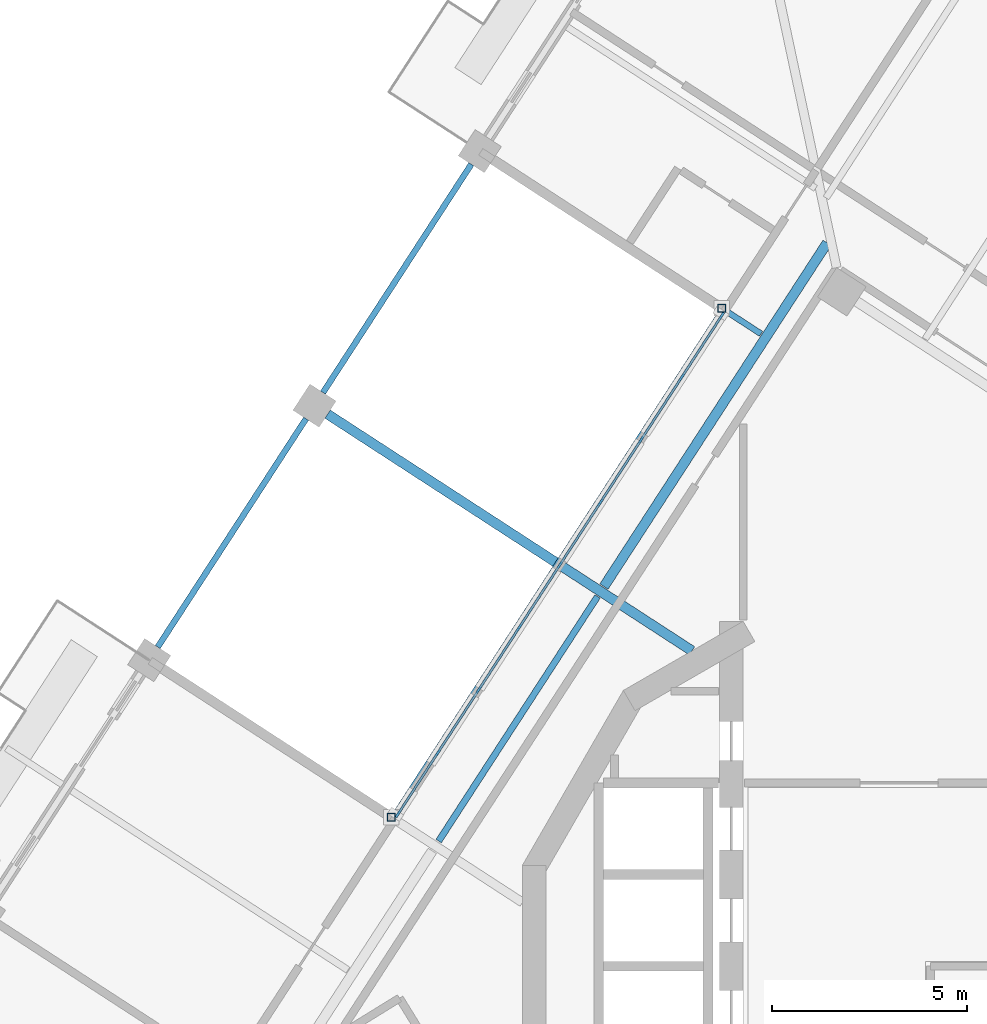
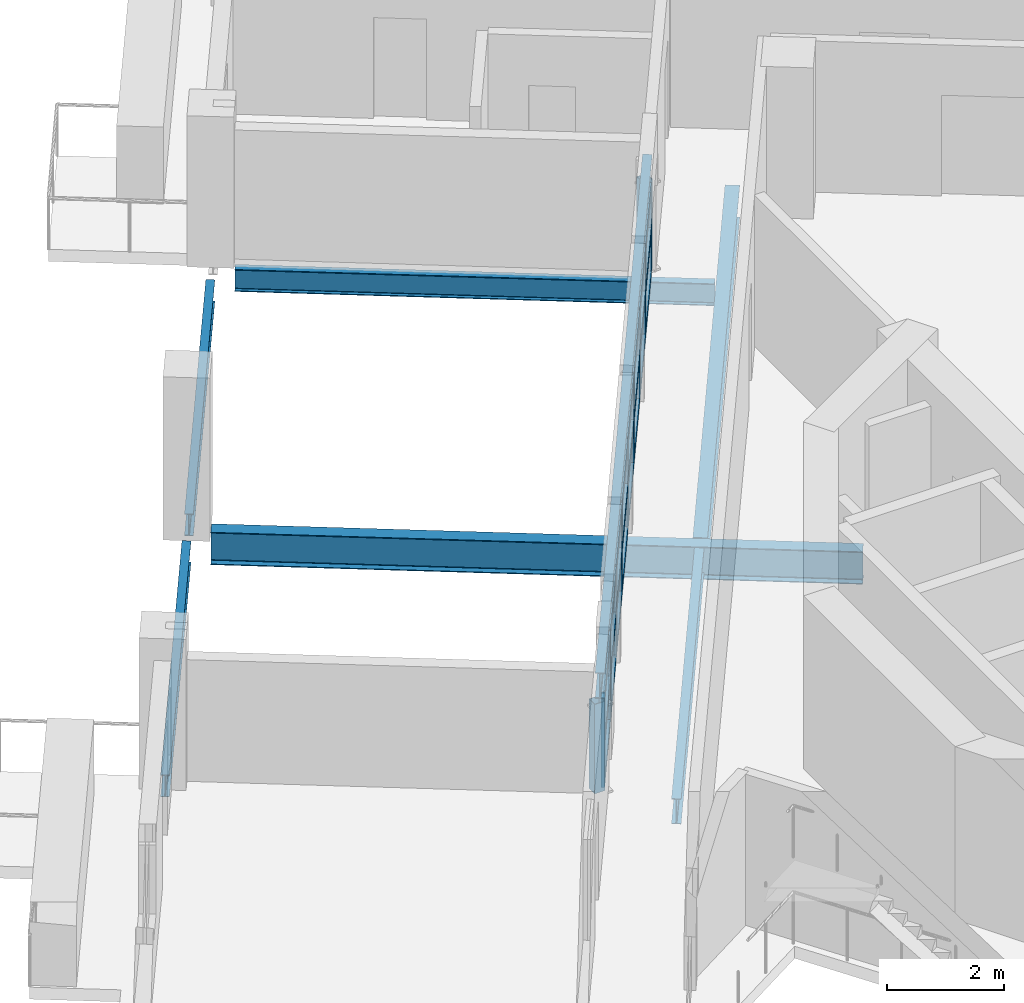
# One storey, part 2 of 17: 35 members, 7 beams, 1 element without a shape of its own.
"""IFC4 building model written with IfcOpenShell, lengths in metres."""

from ifc_helpers import new_model, si_unit, direction, frame, origin, origin_2d, place, context, subcontext, project, spatial, rectangle, hollow_rectangle, i_section, extrude, material, material_profile, profile_set, type_object, element, aggregate, save


model = new_model("IFC4")

# Units and contexts
model_context = context("Model", 3, precision=1e-05, world=origin(), true_north=direction((0.0, 1.0)))
body_context = subcontext(model_context, "Body", "Model", "MODEL_VIEW")
ifc_project = project(units=[si_unit("LENGTHUNIT", "METRE"), si_unit("AREAUNIT", "SQUARE_METRE"), si_unit("VOLUMEUNIT", "CUBIC_METRE"), si_unit("PLANEANGLEUNIT", "RADIAN"), si_unit("MASSUNIT", "GRAM", prefix="KILO")], contexts=[model_context])

# Site, building, storey
site_placement = place(None, origin())
site = spatial("IfcSite", under=ifc_project, at=site_placement, CompositionType="ELEMENT")
building_placement = place(site_placement, origin())
building = spatial("IfcBuilding", under=site, at=building_placement, Name="Cantera Rosa Tower", CompositionType="ELEMENT")
storey_placement = place(building_placement, frame((0.0, 0.0, 286.5)))
storey = spatial("IfcBuildingStorey", under=building, at=storey_placement, Name="L65", CompositionType="ELEMENT", Elevation=286.5)

# Curtain wall, members
ifc_material_1 = material(Name="Aluminium frame with clear glass", Category="aluminium")
curtain_wall_type = type_object("IfcCurtainWallType", Name="CW1 TERRACE POCKET GLAZING", PredefinedType="NOTDEFINED", material=ifc_material_1)
curtain_wall_placement = place(storey_placement, origin())
curtain_wall = element("IfcCurtainWall", 1, at=curtain_wall_placement, inside=storey, type_object=curtain_wall_type, Name="CW1 CW1", PredefinedType="NOTDEFINED")
ifc_material_2 = material(Name="Anodised bronze aluminium", Category="aluminium")
ifc_material_profile_1 = material_profile(ifc_material_2, rectangle(XDim=0.06005859375, YDim=0.179931640625, at=origin_2d()), Name="CW-MULLION 60x180 POCKET")
ifc_profile_set_1 = profile_set([ifc_material_profile_1], Name="Anodised bronze aluminium")
member_type_1 = type_object("IfcMemberType", Name="CW-MULLION 60x180 POCKET", PredefinedType="MULLION", material=ifc_profile_set_1)
member_1_placement = place(storey_placement, frame((-4.54736328125, 16.68310546875, 0.0), z_axis=(0.0, 0.0, 1.0), x_axis=(0.838670567964, -0.544639034986, 0.0)))
member_1 = element("IfcMember", 2, at=member_1_placement, type_object=member_type_1, Name="CW1 mullion 1", PredefinedType="MULLION", context=body_context, shape_type="SweptSolid", body=[
    extrude(rectangle(XDim=0.06005859375, YDim=0.179931640625, at=origin_2d()), origin(), (0.0, 0.0, 1.0), 1.862060546875),
])
member_2_placement = place(storey_placement, frame((-5.5732421875, 15.103271484375, 0.0), z_axis=(0.0, 0.0, 1.0), x_axis=(0.838670567964, -0.544639034986, 0.0)))
member_2 = element("IfcMember", 3, at=member_2_placement, type_object=member_type_1, Name="CW1 mullion 2", PredefinedType="MULLION", context=body_context, shape_type="SweptSolid", body=[
    extrude(rectangle(XDim=0.06005859375, YDim=0.179931640625, at=origin_2d()), origin(), (0.0, 0.0, 1.0), 1.862060546875),
])
member_3_placement = place(storey_placement, frame((-6.615478515625, 13.498291015625, 0.0), z_axis=(0.0, 0.0, 1.0), x_axis=(0.838670567964, -0.544639034986, 0.0)))
member_3 = element("IfcMember", 4, at=member_3_placement, type_object=member_type_1, Name="CW1 mullion 3", PredefinedType="MULLION", context=body_context, shape_type="SweptSolid", body=[
    extrude(rectangle(XDim=0.06005859375, YDim=0.179931640625, at=origin_2d()), origin(), (0.0, 0.0, 1.0), 1.862060546875),
])
member_4_placement = place(storey_placement, frame((-7.657958984375, 11.893310546875, 0.0), z_axis=(0.0, 0.0, 1.0), x_axis=(0.838670567964, -0.544639034986, 0.0)))
member_4 = element("IfcMember", 5, at=member_4_placement, type_object=member_type_1, Name="CW1 mullion 4", PredefinedType="MULLION", context=body_context, shape_type="SweptSolid", body=[
    extrude(rectangle(XDim=0.06005859375, YDim=0.179931640625, at=origin_2d()), origin(), (0.0, 0.0, 1.0), 1.862060546875),
])
member_5_placement = place(storey_placement, frame((-8.7001953125, 10.288330078125, 0.0), z_axis=(0.0, 0.0, 1.0), x_axis=(0.838670567964, -0.544639034986, 0.0)))
member_5 = element("IfcMember", 6, at=member_5_placement, type_object=member_type_1, Name="CW1 mullion 5", PredefinedType="MULLION", context=body_context, shape_type="SweptSolid", body=[
    extrude(rectangle(XDim=0.06005859375, YDim=0.179931640625, at=origin_2d()), origin(), (0.0, 0.0, 1.0), 1.862060546875),
])
member_6_placement = place(storey_placement, frame((-9.742431640625, 8.683349609375, 0.0), z_axis=(0.0, 0.0, 1.0), x_axis=(0.838670567964, -0.544639034986, 0.0)))
member_6 = element("IfcMember", 7, at=member_6_placement, type_object=member_type_1, Name="CW1 mullion 6", PredefinedType="MULLION", context=body_context, shape_type="SweptSolid", body=[
    extrude(rectangle(XDim=0.06005859375, YDim=0.179931640625, at=origin_2d()), origin(), (0.0, 0.0, 1.0), 1.862060546875),
])
member_7_placement = place(storey_placement, frame((-10.784912109375, 7.078369140625, 0.0), z_axis=(0.0, 0.0, 1.0), x_axis=(0.838670567964, -0.544639034986, 0.0)))
member_7 = element("IfcMember", 8, at=member_7_placement, type_object=member_type_1, Name="CW1 mullion 7", PredefinedType="MULLION", context=body_context, shape_type="SweptSolid", body=[
    extrude(rectangle(XDim=0.06005859375, YDim=0.179931640625, at=origin_2d()), origin(), (0.0, 0.0, 1.0), 1.862060546875),
])
member_8_placement = place(storey_placement, frame((-11.8271484375, 5.47314453125, 0.0), z_axis=(0.0, 0.0, 1.0), x_axis=(0.838670567964, -0.544639034986, 0.0)))
member_8 = element("IfcMember", 9, at=member_8_placement, type_object=member_type_1, Name="CW1 mullion 8", PredefinedType="MULLION", context=body_context, shape_type="SweptSolid", body=[
    extrude(rectangle(XDim=0.06005859375, YDim=0.179931640625, at=origin_2d()), origin(), (0.0, 0.0, 1.0), 1.862060546875),
])
member_9_placement = place(storey_placement, frame((-12.85302734375, 3.893310546875, 0.0), z_axis=(0.0, 0.0, 1.0), x_axis=(0.838670567964, -0.544639034986, 0.0)))
member_9 = element("IfcMember", 10, at=member_9_placement, type_object=member_type_1, Name="CW1 mullion 9", PredefinedType="MULLION", context=body_context, shape_type="SweptSolid", body=[
    extrude(rectangle(XDim=0.06005859375, YDim=0.179931640625, at=origin_2d()), origin(), (0.0, 0.0, 1.0), 1.862060546875),
])
ifc_material_3 = material(Name="Anodised bronze aluminium", Category="aluminium")
ifc_material_profile_2 = material_profile(ifc_material_3, rectangle(XDim=0.06005859375, YDim=0.139892578125, at=origin_2d()), Name="CW-TRANSOM 60x140 POCKET")
ifc_profile_set_2 = profile_set([ifc_material_profile_2], Name="Anodised bronze aluminium")
member_type_2 = type_object("IfcMemberType", Name="CW-TRANSOM 60x140 POCKET", PredefinedType="USERDEFINED", material=ifc_profile_set_2)
member_10_placement = place(storey_placement, frame((-4.563720703125, 16.657958984375, 0.030029296875), z_axis=(-0.544588321702, -0.838703499376, 0.0), x_axis=(0.838703499376, -0.544588321702, 0.0)))
member_10 = element("IfcMember", 11, at=member_10_placement, type_object=member_type_2, Name="CW1 transom 1.1", ObjectType="TRANSOM", PredefinedType="USERDEFINED", context=body_context, shape_type="SweptSolid", body=[
    extrude(rectangle(XDim=0.06005859375, YDim=0.139892578125, at=origin_2d()), origin(), (0.0, 0.0, 1.0), 1.82373046875),
])
member_11_placement = place(storey_placement, frame((-4.563720703125, 16.657958984375, 0.930908203125), z_axis=(-0.544588321702, -0.838703499376, 0.0), x_axis=(0.838703499376, -0.544588321702, 0.0)))
member_11 = element("IfcMember", 12, at=member_11_placement, type_object=member_type_2, Name="CW1 transom 1.2", ObjectType="TRANSOM", PredefinedType="USERDEFINED", context=body_context, shape_type="SweptSolid", body=[
    extrude(rectangle(XDim=0.06005859375, YDim=0.139892578125, at=origin_2d()), origin(), (0.0, 0.0, 1.0), 1.82373046875),
])
member_12_placement = place(storey_placement, frame((-4.563720703125, 16.657958984375, 1.83203125), z_axis=(-0.544588321702, -0.838703499376, 0.0), x_axis=(0.838703499376, -0.544588321702, 0.0)))
member_12 = element("IfcMember", 13, at=member_12_placement, type_object=member_type_2, Name="CW1 transom 1.3", ObjectType="TRANSOM", PredefinedType="USERDEFINED", context=body_context, shape_type="SweptSolid", body=[
    extrude(rectangle(XDim=0.06005859375, YDim=0.139892578125, at=origin_2d()), origin(), (0.0, 0.0, 1.0), 1.82373046875),
])
member_13_placement = place(storey_placement, frame((-5.589599609375, 15.078125, 0.030029296875), z_axis=(-0.544692059849, -0.838636130832, 0.0), x_axis=(0.838636130832, -0.544692059849, 0.0)))
member_13 = element("IfcMember", 14, at=member_13_placement, type_object=member_type_2, Name="CW1 transom 2.1", ObjectType="TRANSOM", PredefinedType="USERDEFINED", context=body_context, shape_type="SweptSolid", body=[
    extrude(rectangle(XDim=0.06005859375, YDim=0.139892578125, at=origin_2d()), origin(), (0.0, 0.0, 1.0), 1.853759765625),
])
member_14_placement = place(storey_placement, frame((-5.589599609375, 15.078125, 0.930908203125), z_axis=(-0.544692059849, -0.838636130832, 0.0), x_axis=(0.838636130832, -0.544692059849, 0.0)))
member_14 = element("IfcMember", 15, at=member_14_placement, type_object=member_type_2, Name="CW1 transom 2.2", ObjectType="TRANSOM", PredefinedType="USERDEFINED", context=body_context, shape_type="SweptSolid", body=[
    extrude(rectangle(XDim=0.06005859375, YDim=0.139892578125, at=origin_2d()), origin(), (0.0, 0.0, 1.0), 1.853759765625),
])
member_15_placement = place(storey_placement, frame((-5.589599609375, 15.078125, 1.83203125), z_axis=(-0.544692059849, -0.838636130832, 0.0), x_axis=(0.838636130832, -0.544692059849, 0.0)))
member_15 = element("IfcMember", 16, at=member_15_placement, type_object=member_type_2, Name="CW1 transom 2.3", ObjectType="TRANSOM", PredefinedType="USERDEFINED", context=body_context, shape_type="SweptSolid", body=[
    extrude(rectangle(XDim=0.06005859375, YDim=0.139892578125, at=origin_2d()), origin(), (0.0, 0.0, 1.0), 1.853759765625),
])
member_16_placement = place(storey_placement, frame((-6.6318359375, 13.47314453125, 0.030029296875), z_axis=(-0.544692059849, -0.838636130832, 0.0), x_axis=(0.838636130832, -0.544692059849, 0.0)))
member_16 = element("IfcMember", 17, at=member_16_placement, type_object=member_type_2, Name="CW1 transom 3.1", ObjectType="TRANSOM", PredefinedType="USERDEFINED", context=body_context, shape_type="SweptSolid", body=[
    extrude(rectangle(XDim=0.06005859375, YDim=0.139892578125, at=origin_2d()), origin(), (0.0, 0.0, 1.0), 1.853759765625),
])
member_17_placement = place(storey_placement, frame((-6.6318359375, 13.47314453125, 0.930908203125), z_axis=(-0.544692059849, -0.838636130832, 0.0), x_axis=(0.838636130832, -0.544692059849, 0.0)))
member_17 = element("IfcMember", 18, at=member_17_placement, type_object=member_type_2, Name="CW1 transom 3.2", ObjectType="TRANSOM", PredefinedType="USERDEFINED", context=body_context, shape_type="SweptSolid", body=[
    extrude(rectangle(XDim=0.06005859375, YDim=0.139892578125, at=origin_2d()), origin(), (0.0, 0.0, 1.0), 1.853759765625),
])
member_18_placement = place(storey_placement, frame((-6.6318359375, 13.47314453125, 1.83203125), z_axis=(-0.544692059849, -0.838636130832, 0.0), x_axis=(0.838636130832, -0.544692059849, 0.0)))
member_18 = element("IfcMember", 19, at=member_18_placement, type_object=member_type_2, Name="CW1 transom 3.3", ObjectType="TRANSOM", PredefinedType="USERDEFINED", context=body_context, shape_type="SweptSolid", body=[
    extrude(rectangle(XDim=0.06005859375, YDim=0.139892578125, at=origin_2d()), origin(), (0.0, 0.0, 1.0), 1.853759765625),
])
member_19_placement = place(storey_placement, frame((-7.67431640625, 11.8681640625, 0.030029296875), z_axis=(-0.544599427137, -0.838696288273, 0.0), x_axis=(0.838696288273, -0.544599427137, 0.0)))
member_19 = element("IfcMember", 20, at=member_19_placement, type_object=member_type_2, Name="CW1 transom 4.1", ObjectType="TRANSOM", PredefinedType="USERDEFINED", context=body_context, shape_type="SweptSolid", body=[
    extrude(rectangle(XDim=0.06005859375, YDim=0.139892578125, at=origin_2d()), origin(), (0.0, 0.0, 1.0), 1.853759765625),
])
member_20_placement = place(storey_placement, frame((-7.67431640625, 11.8681640625, 0.930908203125), z_axis=(-0.544599427137, -0.838696288273, 0.0), x_axis=(0.838696288273, -0.544599427137, 0.0)))
member_20 = element("IfcMember", 21, at=member_20_placement, type_object=member_type_2, Name="CW1 transom 4.2", ObjectType="TRANSOM", PredefinedType="USERDEFINED", context=body_context, shape_type="SweptSolid", body=[
    extrude(rectangle(XDim=0.06005859375, YDim=0.139892578125, at=origin_2d()), origin(), (0.0, 0.0, 1.0), 1.853759765625),
])
member_21_placement = place(storey_placement, frame((-7.67431640625, 11.8681640625, 1.83203125), z_axis=(-0.544599427137, -0.838696288273, 0.0), x_axis=(0.838696288273, -0.544599427137, 0.0)))
member_21 = element("IfcMember", 22, at=member_21_placement, type_object=member_type_2, Name="CW1 transom 4.3", ObjectType="TRANSOM", PredefinedType="USERDEFINED", context=body_context, shape_type="SweptSolid", body=[
    extrude(rectangle(XDim=0.06005859375, YDim=0.139892578125, at=origin_2d()), origin(), (0.0, 0.0, 1.0), 1.853759765625),
])
member_22_placement = place(storey_placement, frame((-8.716552734375, 10.26318359375, 0.030029296875), z_axis=(-0.544599427137, -0.838696288273, 0.0), x_axis=(0.838696288273, -0.544599427137, 0.0)))
member_22 = element("IfcMember", 23, at=member_22_placement, type_object=member_type_2, Name="CW1 transom 5.1", ObjectType="TRANSOM", PredefinedType="USERDEFINED", context=body_context, shape_type="SweptSolid", body=[
    extrude(rectangle(XDim=0.06005859375, YDim=0.139892578125, at=origin_2d()), origin(), (0.0, 0.0, 1.0), 1.853759765625),
])
member_23_placement = place(storey_placement, frame((-8.716552734375, 10.26318359375, 0.930908203125), z_axis=(-0.544599427137, -0.838696288273, 0.0), x_axis=(0.838696288273, -0.544599427137, 0.0)))
member_23 = element("IfcMember", 24, at=member_23_placement, type_object=member_type_2, Name="CW1 transom 5.2", ObjectType="TRANSOM", PredefinedType="USERDEFINED", context=body_context, shape_type="SweptSolid", body=[
    extrude(rectangle(XDim=0.06005859375, YDim=0.139892578125, at=origin_2d()), origin(), (0.0, 0.0, 1.0), 1.853759765625),
])
member_24_placement = place(storey_placement, frame((-8.716552734375, 10.26318359375, 1.83203125), z_axis=(-0.544599427137, -0.838696288273, 0.0), x_axis=(0.838696288273, -0.544599427137, 0.0)))
member_24 = element("IfcMember", 25, at=member_24_placement, type_object=member_type_2, Name="CW1 transom 5.3", ObjectType="TRANSOM", PredefinedType="USERDEFINED", context=body_context, shape_type="SweptSolid", body=[
    extrude(rectangle(XDim=0.06005859375, YDim=0.139892578125, at=origin_2d()), origin(), (0.0, 0.0, 1.0), 1.853759765625),
])
member_25_placement = place(storey_placement, frame((-9.7587890625, 8.658203125, 0.030029296875), z_axis=(-0.544692059849, -0.838636130832, 0.0), x_axis=(0.838636130832, -0.544692059849, 0.0)))
member_25 = element("IfcMember", 26, at=member_25_placement, type_object=member_type_2, Name="CW1 transom 6.1", ObjectType="TRANSOM", PredefinedType="USERDEFINED", context=body_context, shape_type="SweptSolid", body=[
    extrude(rectangle(XDim=0.06005859375, YDim=0.139892578125, at=origin_2d()), origin(), (0.0, 0.0, 1.0), 1.853759765625),
])
member_26_placement = place(storey_placement, frame((-9.7587890625, 8.658203125, 0.930908203125), z_axis=(-0.544692059849, -0.838636130832, 0.0), x_axis=(0.838636130832, -0.544692059849, 0.0)))
member_26 = element("IfcMember", 27, at=member_26_placement, type_object=member_type_2, Name="CW1 transom 6.2", ObjectType="TRANSOM", PredefinedType="USERDEFINED", context=body_context, shape_type="SweptSolid", body=[
    extrude(rectangle(XDim=0.06005859375, YDim=0.139892578125, at=origin_2d()), origin(), (0.0, 0.0, 1.0), 1.853759765625),
])
member_27_placement = place(storey_placement, frame((-9.7587890625, 8.658203125, 1.83203125), z_axis=(-0.544692059849, -0.838636130832, 0.0), x_axis=(0.838636130832, -0.544692059849, 0.0)))
member_27 = element("IfcMember", 28, at=member_27_placement, type_object=member_type_2, Name="CW1 transom 6.3", ObjectType="TRANSOM", PredefinedType="USERDEFINED", context=body_context, shape_type="SweptSolid", body=[
    extrude(rectangle(XDim=0.06005859375, YDim=0.139892578125, at=origin_2d()), origin(), (0.0, 0.0, 1.0), 1.853759765625),
])
member_28_placement = place(storey_placement, frame((-10.80126953125, 7.052978515625, 0.030029296875), z_axis=(-0.544659589021, -0.83865721966, 0.0), x_axis=(0.83865721966, -0.544659589021, 0.0)))
member_28 = element("IfcMember", 29, at=member_28_placement, type_object=member_type_2, Name="CW1 transom 7.1", ObjectType="TRANSOM", PredefinedType="USERDEFINED", context=body_context, shape_type="SweptSolid", body=[
    extrude(rectangle(XDim=0.06005859375, YDim=0.139892578125, at=origin_2d()), origin(), (0.0, 0.0, 1.0), 1.853515625),
])
member_29_placement = place(storey_placement, frame((-10.80126953125, 7.052978515625, 0.930908203125), z_axis=(-0.544659589021, -0.83865721966, 0.0), x_axis=(0.83865721966, -0.544659589021, 0.0)))
member_29 = element("IfcMember", 30, at=member_29_placement, type_object=member_type_2, Name="CW1 transom 7.2", ObjectType="TRANSOM", PredefinedType="USERDEFINED", context=body_context, shape_type="SweptSolid", body=[
    extrude(rectangle(XDim=0.06005859375, YDim=0.139892578125, at=origin_2d()), origin(), (0.0, 0.0, 1.0), 1.853515625),
])
member_30_placement = place(storey_placement, frame((-10.80126953125, 7.052978515625, 1.83203125), z_axis=(-0.544659589021, -0.83865721966, 0.0), x_axis=(0.83865721966, -0.544659589021, 0.0)))
member_30 = element("IfcMember", 31, at=member_30_placement, type_object=member_type_2, Name="CW1 transom 7.3", ObjectType="TRANSOM", PredefinedType="USERDEFINED", context=body_context, shape_type="SweptSolid", body=[
    extrude(rectangle(XDim=0.06005859375, YDim=0.139892578125, at=origin_2d()), origin(), (0.0, 0.0, 1.0), 1.853515625),
])
member_31_placement = place(storey_placement, frame((-11.843505859375, 5.447998046875, 0.030029296875), z_axis=(-0.544588321702, -0.838703499376, 0.0), x_axis=(0.838703499376, -0.544588321702, 0.0)))
member_31 = element("IfcMember", 32, at=member_31_placement, type_object=member_type_2, Name="CW1 transom 8.1", ObjectType="TRANSOM", PredefinedType="USERDEFINED", context=body_context, shape_type="SweptSolid", body=[
    extrude(rectangle(XDim=0.06005859375, YDim=0.139892578125, at=origin_2d()), origin(), (0.0, 0.0, 1.0), 1.82373046875),
])
member_32_placement = place(storey_placement, frame((-11.843505859375, 5.447998046875, 0.930908203125), z_axis=(-0.544588321702, -0.838703499376, 0.0), x_axis=(0.838703499376, -0.544588321702, 0.0)))
member_32 = element("IfcMember", 33, at=member_32_placement, type_object=member_type_2, Name="CW1 transom 8.2", ObjectType="TRANSOM", PredefinedType="USERDEFINED", context=body_context, shape_type="SweptSolid", body=[
    extrude(rectangle(XDim=0.06005859375, YDim=0.139892578125, at=origin_2d()), origin(), (0.0, 0.0, 1.0), 1.82373046875),
])
member_33_placement = place(storey_placement, frame((-11.843505859375, 5.447998046875, 1.83203125), z_axis=(-0.544588321702, -0.838703499376, 0.0), x_axis=(0.838703499376, -0.544588321702, 0.0)))
member_33 = element("IfcMember", 34, at=member_33_placement, type_object=member_type_2, Name="CW1 transom 8.3", ObjectType="TRANSOM", PredefinedType="USERDEFINED", context=body_context, shape_type="SweptSolid", body=[
    extrude(rectangle(XDim=0.06005859375, YDim=0.139892578125, at=origin_2d()), origin(), (0.0, 0.0, 1.0), 1.82373046875),
])
aggregate(curtain_wall, [member_1, member_2, member_3, member_4, member_5, member_6, member_7, member_8, member_9, member_10, member_11, member_12, member_13, member_14, member_15, member_16, member_17, member_18, member_19, member_20, member_21, member_22, member_23, member_24, member_25, member_26, member_27, member_28, member_29, member_30, member_31, member_32, member_33])

# Members
ifc_material_4 = material(Name="Steel ASTM A992 (Fy 345 MPa)", Category="steel")
ifc_material_profile_3 = material_profile(ifc_material_4, hollow_rectangle(XDim=0.199951171875, YDim=0.199951171875, WallThickness=0.010009765625, at=origin_2d()), Name="LINTEL POST RHS 200x200x10")
ifc_profile_set_3 = profile_set([ifc_material_profile_3], Name="Steel ASTM A992 (Fy 345 MPa)")
member_type_3 = type_object("IfcMemberType", Name="LINTEL POST RHS 200x200x10", PredefinedType="USERDEFINED", material=ifc_profile_set_3)
for number, where, z_axis, x_axis, name in (
    (35, (-4.546875, 16.86767578125, 0.0), (0.0, 0.0, 1.0), (1.0, 0.0, 0.0), "LINTEL POST L65-1"),
    (36, (-13.021484375, 3.81787109375, 0.0), (0.0, 0.0, 1.0), (1.0, 0.0, 0.0), "LINTEL POST L65-2"),
):
    element("IfcMember", number, at=place(storey_placement, frame(where, z_axis=z_axis, x_axis=x_axis)), inside=storey, type_object=member_type_3, Name=name, ObjectType="LINTEL POST", PredefinedType="USERDEFINED", context=body_context, shape_type="SweptSolid", body=[
        extrude(hollow_rectangle(XDim=0.199951171875, YDim=0.199951171875, WallThickness=0.010009765625, at=origin_2d()), origin(), (0.0, 0.0, 1.0), 1.864013671875),
    ])

# Beams
ifc_material_5 = material(Name="Steel ASTM A992 (Fy 345 MPa)", Category="steel")
ifc_material_profile_4 = material_profile(ifc_material_5, i_section(OverallWidth=0.154052734375, OverallDepth=0.4599609375, WebThickness=0.009033203125, FlangeThickness=0.015380859375, FilletRadius=0.01025390625, at=origin_2d()), Name="W460X68")
ifc_profile_set_4 = profile_set([ifc_material_profile_4], Name="Steel ASTM A992 (Fy 345 MPa)")
beam_type_1 = type_object("IfcBeamType", Name="STEEL BEAM W460X68", PredefinedType="BEAM", material=ifc_profile_set_4)
beam_1_placement = place(storey_placement, frame((-10.41748046875, 20.68017578125, -0.47998046875), z_axis=(0.838672777751, -0.544635632198, 0.0), x_axis=(0.544635632198, 0.838672777751, 0.0)))
element("IfcBeam", 37, at=beam_1_placement, inside=storey, type_object=beam_type_1, Name="G-Z5-04 L65", PredefinedType="BEAM", context=body_context, shape_type="SweptSolid", body=[
    extrude(i_section(OverallWidth=0.154052734375, OverallDepth=0.4599609375, WebThickness=0.009033203125, FlangeThickness=0.015380859375, FilletRadius=0.01025390625, at=origin_2d()), origin(), (0.0, 0.0, 1.0), 8.2001953125),
])
ifc_material_6 = material(Name="Steel ASTM A992 (Fy 345 MPa)", Category="steel")
ifc_material_profile_5 = material_profile(ifc_material_6, i_section(OverallWidth=0.166015625, OverallDepth=0.528076171875, WebThickness=0.009765625, FlangeThickness=0.013671875, FilletRadius=0.0126953125, at=origin_2d()), Name="W530X74")
ifc_profile_set_5 = profile_set([ifc_material_profile_5], Name="Steel ASTM A992 (Fy 345 MPa)")
beam_type_2 = type_object("IfcBeamType", Name="STEEL BEAM W530X74", PredefinedType="BEAM", material=ifc_profile_set_5)
beam_2_placement = place(storey_placement, frame((-11.807373046875, 3.20849609375, -0.513916015625), z_axis=(0.544626910795, 0.838678441381, 0.0), x_axis=(-0.838678441381, 0.544626910795, 0.0)))
element("IfcBeam", 38, at=beam_2_placement, inside=storey, type_object=beam_type_2, Name="RB-Z5-02 L65", PredefinedType="BEAM", context=body_context, shape_type="SweptSolid", body=[
    extrude(i_section(OverallWidth=0.166015625, OverallDepth=0.528076171875, WebThickness=0.009765625, FlangeThickness=0.013671875, FilletRadius=0.0126953125, at=origin_2d()), origin(), (0.0, 0.0, 1.0), 7.479736328125),
])
beam_3_placement = place(storey_placement, frame((-4.531982421875, 16.79833984375, 2.1279296875), z_axis=(-0.544641940052, -0.838668681385, 0.0), x_axis=(0.838668681385, -0.544641940052, 0.0)))
element("IfcBeam", 39, at=beam_3_placement, inside=storey, type_object=beam_type_2, Name="LINTEL SL-L65", PredefinedType="BEAM", context=body_context, shape_type="SweptSolid", body=[
    extrude(i_section(OverallWidth=0.166015625, OverallDepth=0.528076171875, WebThickness=0.009765625, FlangeThickness=0.013671875, FilletRadius=0.0126953125, at=origin_2d()), origin(), (0.0, 0.0, 1.0), 15.4599609375),
])
ifc_material_7 = material(Name="Steel ASTM A992 (Fy 345 MPa)", Category="steel")
ifc_material_profile_6 = material_profile(ifc_material_7, i_section(OverallWidth=0.25390625, OverallDepth=0.677978515625, WebThickness=0.01171875, FlangeThickness=0.016357421875, FilletRadius=0.01513671875, at=origin_2d()), Name="W690X125")
ifc_profile_set_6 = profile_set([ifc_material_profile_6], Name="Steel ASTM A992 (Fy 345 MPa)")
beam_type_3 = type_object("IfcBeamType", Name="STEEL BEAM W690X125", PredefinedType="BEAM", material=ifc_profile_set_6)
beam_4_placement = place(storey_placement, frame((-14.65478515625, 14.1552734375, -0.589111328125), z_axis=(0.838661833747, -0.544652484265, 0.0), x_axis=(0.544652484265, 0.838661833747, 0.0)))
element("IfcBeam", 40, at=beam_4_placement, inside=storey, type_object=beam_type_3, Name="G-Z5-05 L65", PredefinedType="BEAM", context=body_context, shape_type="SweptSolid", body=[
    extrude(i_section(OverallWidth=0.25390625, OverallDepth=0.677978515625, WebThickness=0.01171875, FlangeThickness=0.016357421875, FilletRadius=0.01513671875, at=origin_2d()), origin(), (0.0, 0.0, 1.0), 11.141357421875),
])
beam_5_placement = place(storey_placement, frame((-7.570068359375, 9.733154296875, -0.589111328125), z_axis=(0.544635575355, 0.838672814665, 0.0), x_axis=(-0.838672814665, 0.544635575355, 0.0)))
element("IfcBeam", 41, at=beam_5_placement, inside=storey, type_object=beam_type_3, Name="RB-Z5-03 L65", PredefinedType="BEAM", context=body_context, shape_type="SweptSolid", body=[
    extrude(i_section(OverallWidth=0.25390625, OverallDepth=0.677978515625, WebThickness=0.01171875, FlangeThickness=0.016357421875, FilletRadius=0.01513671875, at=origin_2d()), origin(), (0.0, 0.0, 1.0), 10.510009765625),
])
ifc_material_8 = material(Name="Steel ASTM A992 (Fy 345 MPa)", Category="steel")
ifc_material_profile_7 = material_profile(ifc_material_8, i_section(OverallWidth=0.154052734375, OverallDepth=0.4599609375, WebThickness=0.009033203125, FlangeThickness=0.015380859375, FilletRadius=0.01025390625, at=origin_2d()), Name="W460X68")
ifc_profile_set_7 = profile_set([ifc_material_profile_7], Name="Steel ASTM A992 (Fy 345 MPa)")
beam_type_4 = type_object("IfcBeamType", Name="STEEL SPANDREL BEAM W460X68", PredefinedType="SPANDREL", material=ifc_profile_set_7)
for number, where, z_axis, x_axis, name in (
    (42, (-10.970703125, 20.5625, -0.47998046875), (-0.544651451949, -0.838662504164, 0.0), (0.838662504164, -0.544651451949, 0.0), "EB-Z5-08 L65"),
    (43, (-15.2080078125, 14.03759765625, -0.47998046875), (-0.544651451949, -0.838662504164, 0.0), (0.838662504164, -0.544651451949, 0.0), "EB-Z5-09 L65"),
):
    element("IfcBeam", number, at=place(storey_placement, frame(where, z_axis=z_axis, x_axis=x_axis)), inside=storey, type_object=beam_type_4, Name=name, PredefinedType="SPANDREL", context=body_context, shape_type="SweptSolid", body=[
        extrude(i_section(OverallWidth=0.154052734375, OverallDepth=0.4599609375, WebThickness=0.009033203125, FlangeThickness=0.015380859375, FilletRadius=0.01025390625, at=origin_2d()), origin(), (0.0, 0.0, 1.0), 6.980224609375),
    ])

save(model, "model.ifc")
